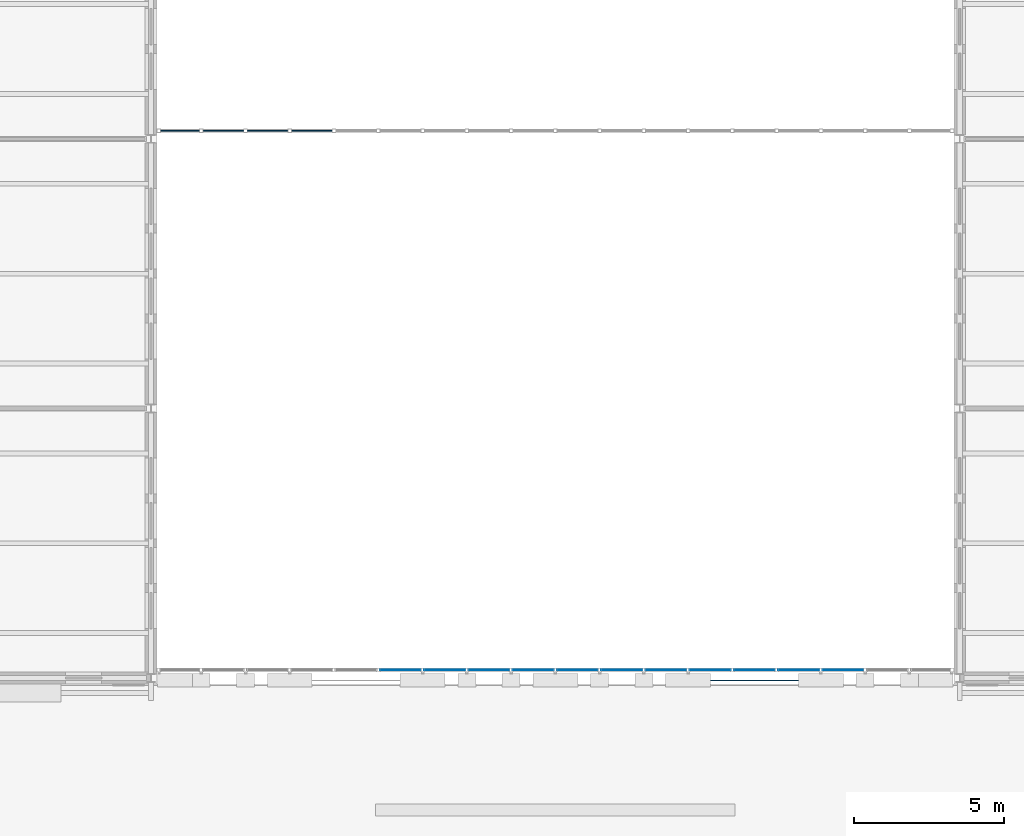
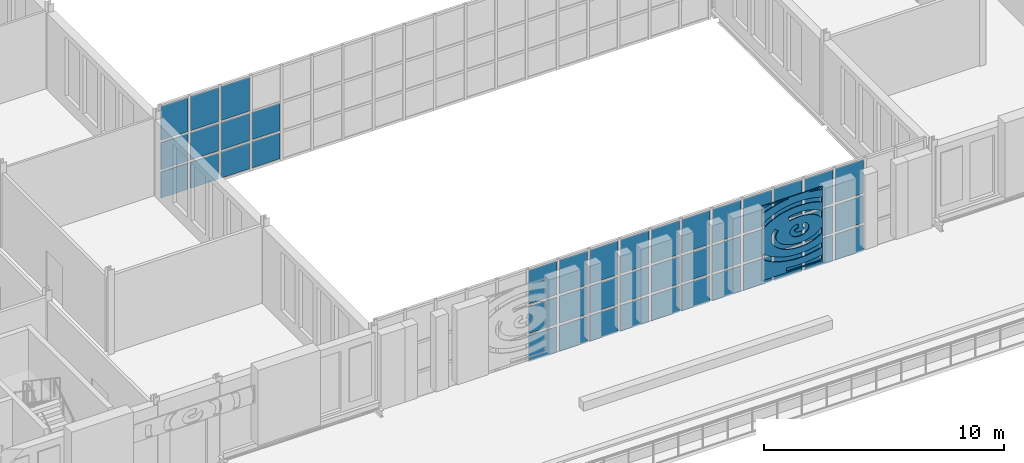
# One storey, part 59 of 134: 45 plates, 2 elements without a shape of their own.
"""IFC4 building model written with IfcOpenShell, lengths in metres."""

from ifc_helpers import new_model, si_unit, direction, frame, origin, origin_2d, place, context, subcontext, project, spatial, polyline, rectangle, outline, extrude, material, layer, layer_set, type_object, element, aggregate, save


model = new_model("IFC4")

# Units and contexts
model_context = context("Model", 3, precision=1e-05, world=origin(), true_north=direction((0.0, 1.0)))
body_context = subcontext(model_context, "Body", "Model", "MODEL_VIEW")
ifc_project = project(units=[si_unit("LENGTHUNIT", "METRE"), si_unit("AREAUNIT", "SQUARE_METRE"), si_unit("VOLUMEUNIT", "CUBIC_METRE"), si_unit("PLANEANGLEUNIT", "RADIAN"), si_unit("MASSUNIT", "GRAM", prefix="KILO")], contexts=[model_context])

# Site, building, storey
site_placement = place(None, origin())
site = spatial("IfcSite", under=ifc_project, at=site_placement, CompositionType="ELEMENT")
building_placement = place(site_placement, origin())
building = spatial("IfcBuilding", under=site, at=building_placement, Name="Golden Quay Civic Hall", CompositionType="ELEMENT")
storey_placement = place(building_placement, frame((0.0, 0.0, 5.39990234375)))
storey = spatial("IfcBuildingStorey", under=building, at=storey_placement, Name="L01", CompositionType="ELEMENT", Elevation=5.39990234375)

# Curtain wall, plates
ifc_material_1 = material(Name="Fire-resisting glass and steel", Category="steel")
curtain_wall_type_1 = type_object("IfcCurtainWallType", Name="Fire-resisting glazed curtain wall EI 120", PredefinedType="NOTDEFINED", material=ifc_material_1)
curtain_wall_1_placement = place(storey_placement, origin())
curtain_wall_1 = element("IfcCurtainWall", 1, at=curtain_wall_1_placement, inside=storey, type_object=curtain_wall_type_1, Name="CW3 curtain wall", PredefinedType="NOTDEFINED")
ifc_material_2 = material(Name="Fire-resisting laminated glass", Category="glass")
ifc_layer_1 = layer(ifc_material_2, 0.0400390625)
ifc_layer_set_1 = layer_set([ifc_layer_1], Name="Fire-resisting glazed panel 40")
plate_type_1 = type_object("IfcPlateType", Name="Fire-resisting glazed panel 40", PredefinedType="CURTAIN_PANEL", material=ifc_layer_set_1)
plate_1_placement = place(storey_placement, frame((72.968994140625, 18.27001953125, -0.47998046875), z_axis=(0.0, 0.0, 1.0), x_axis=(1.0, 0.0, 0.0)))
plate_1 = element("IfcPlate", 2, at=plate_1_placement, type_object=plate_type_1, Name="CW3 panel 1.1", PredefinedType="CURTAIN_PANEL", context=body_context, shape_type="SweptSolid", body=[
    extrude(rectangle(XDim=1.2978515625, YDim=0.0400390625, at=origin_2d()), origin(), (0.0, 0.0, 1.0), 1.320068359375),
])
plate_2_placement = place(storey_placement, frame((72.968994140625, 18.27001953125, 0.960205078125), z_axis=(0.0, 0.0, 1.0), x_axis=(1.0, 0.0, 0.0)))
plate_2 = element("IfcPlate", 3, at=plate_2_placement, type_object=plate_type_1, Name="CW3 panel 1.2", PredefinedType="CURTAIN_PANEL", context=body_context, shape_type="SweptSolid", body=[
    extrude(rectangle(XDim=1.2978515625, YDim=0.0400390625, at=origin_2d()), origin(), (0.0, 0.0, 1.0), 1.3798828125),
])
plate_3_placement = place(storey_placement, frame((72.968994140625, 18.27001953125, 2.4599609375), z_axis=(0.0, 0.0, 1.0), x_axis=(1.0, 0.0, 0.0)))
plate_3 = element("IfcPlate", 4, at=plate_3_placement, type_object=plate_type_1, Name="CW3 panel 1.3", PredefinedType="CURTAIN_PANEL", context=body_context, shape_type="SweptSolid", body=[
    extrude(rectangle(XDim=1.2978515625, YDim=0.0400390625, at=origin_2d()), origin(), (0.0, 0.0, 1.0), 1.719970703125),
])
plate_4_placement = place(storey_placement, frame((74.416748046875, 18.27001953125, -0.47998046875), z_axis=(0.0, 0.0, 1.0), x_axis=(1.0, 0.0, 0.0)))
plate_4 = element("IfcPlate", 5, at=plate_4_placement, type_object=plate_type_1, Name="CW3 panel 2.1", PredefinedType="CURTAIN_PANEL", context=body_context, shape_type="SweptSolid", body=[
    extrude(rectangle(XDim=1.357666015625, YDim=0.0400390625, at=origin_2d()), origin(), (0.0, 0.0, 1.0), 1.320068359375),
])
plate_5_placement = place(storey_placement, frame((74.416748046875, 18.27001953125, 0.960205078125), z_axis=(0.0, 0.0, 1.0), x_axis=(1.0, 0.0, 0.0)))
plate_5 = element("IfcPlate", 6, at=plate_5_placement, type_object=plate_type_1, Name="CW3 panel 2.2", PredefinedType="CURTAIN_PANEL", context=body_context, shape_type="SweptSolid", body=[
    extrude(rectangle(XDim=1.357666015625, YDim=0.0400390625, at=origin_2d()), origin(), (0.0, 0.0, 1.0), 1.3798828125),
])
plate_6_placement = place(storey_placement, frame((74.416748046875, 18.27001953125, 2.4599609375), z_axis=(0.0, 0.0, 1.0), x_axis=(1.0, 0.0, 0.0)))
plate_6 = element("IfcPlate", 7, at=plate_6_placement, type_object=plate_type_1, Name="CW3 panel 2.3", PredefinedType="CURTAIN_PANEL", context=body_context, shape_type="SweptSolid", body=[
    extrude(rectangle(XDim=1.357666015625, YDim=0.0400390625, at=origin_2d()), origin(), (0.0, 0.0, 1.0), 1.719970703125),
])
plate_7_placement = place(storey_placement, frame((75.89453125, 18.27001953125, -0.47998046875), z_axis=(0.0, 0.0, 1.0), x_axis=(1.0, 0.0, 0.0)))
plate_7 = element("IfcPlate", 8, at=plate_7_placement, type_object=plate_type_1, Name="CW3 panel 3.1", PredefinedType="CURTAIN_PANEL", context=body_context, shape_type="SweptSolid", body=[
    extrude(rectangle(XDim=1.357666015625, YDim=0.0400390625, at=origin_2d()), origin(), (0.0, 0.0, 1.0), 1.320068359375),
])
plate_8_placement = place(storey_placement, frame((75.89453125, 18.27001953125, 0.960205078125), z_axis=(0.0, 0.0, 1.0), x_axis=(1.0, 0.0, 0.0)))
plate_8 = element("IfcPlate", 9, at=plate_8_placement, type_object=plate_type_1, Name="CW3 panel 3.2", PredefinedType="CURTAIN_PANEL", context=body_context, shape_type="SweptSolid", body=[
    extrude(rectangle(XDim=1.357666015625, YDim=0.0400390625, at=origin_2d()), origin(), (0.0, 0.0, 1.0), 1.3798828125),
])
plate_9_placement = place(storey_placement, frame((75.89453125, 18.27001953125, 2.4599609375), z_axis=(0.0, 0.0, 1.0), x_axis=(1.0, 0.0, 0.0)))
plate_9 = element("IfcPlate", 10, at=plate_9_placement, type_object=plate_type_1, Name="CW3 panel 3.3", PredefinedType="CURTAIN_PANEL", context=body_context, shape_type="SweptSolid", body=[
    extrude(rectangle(XDim=1.357666015625, YDim=0.0400390625, at=origin_2d()), origin(), (0.0, 0.0, 1.0), 1.719970703125),
])
plate_10_placement = place(storey_placement, frame((77.372314453125, 18.27001953125, -0.47998046875), z_axis=(0.0, 0.0, 1.0), x_axis=(1.0, 0.0, 0.0)))
plate_10 = element("IfcPlate", 11, at=plate_10_placement, type_object=plate_type_1, Name="CW3 panel 4.1", PredefinedType="CURTAIN_PANEL", context=body_context, shape_type="SweptSolid", body=[
    extrude(rectangle(XDim=1.357666015625, YDim=0.0400390625, at=origin_2d()), origin(), (0.0, 0.0, 1.0), 1.320068359375),
])
plate_11_placement = place(storey_placement, frame((77.372314453125, 18.27001953125, 0.960205078125), z_axis=(0.0, 0.0, 1.0), x_axis=(1.0, 0.0, 0.0)))
plate_11 = element("IfcPlate", 12, at=plate_11_placement, type_object=plate_type_1, Name="CW3 panel 4.2", PredefinedType="CURTAIN_PANEL", context=body_context, shape_type="SweptSolid", body=[
    extrude(rectangle(XDim=1.357666015625, YDim=0.0400390625, at=origin_2d()), origin(), (0.0, 0.0, 1.0), 1.3798828125),
])
aggregate(curtain_wall_1, [plate_1, plate_2, plate_3, plate_4, plate_5, plate_6, plate_7, plate_8, plate_9, plate_10, plate_11])

ifc_material_3 = material(Name="Glass and aluminium", Category="aluminium")
curtain_wall_type_2 = type_object("IfcCurtainWallType", Name="Glazed curtain wall 1500 module", PredefinedType="NOTDEFINED", material=ifc_material_3)
curtain_wall_2_placement = place(storey_placement, origin())
curtain_wall_2 = element("IfcCurtainWall", 13, at=curtain_wall_2_placement, inside=storey, type_object=curtain_wall_type_2, Name="CW1 curtain wall", PredefinedType="NOTDEFINED")
ifc_material_4 = material(Name="Laminated glass", Category="glass")
ifc_layer_2 = layer(ifc_material_4, 0.028076171875)
ifc_layer_set_2 = layer_set([ifc_layer_2], Name="Laminated glass panel 28")
plate_type_2 = type_object("IfcPlateType", Name="Laminated glass panel 28", PredefinedType="CURTAIN_PANEL", material=ifc_layer_set_2)
plate_12_placement = place(storey_placement, frame((80.327880859375, 0.27001953125, -0.47998046875), z_axis=(0.0, 0.0, 1.0), x_axis=(1.0, 0.0, 0.0)))
plate_12 = element("IfcPlate", 14, at=plate_12_placement, type_object=plate_type_2, Name="CW1 panel 6.1", PredefinedType="CURTAIN_PANEL", context=body_context, shape_type="SweptSolid", body=[
    extrude(rectangle(XDim=1.357666015625, YDim=0.028076171875, at=origin_2d()), origin(), (0.0, 0.0, 1.0), 1.320068359375),
])
plate_13_placement = place(storey_placement, frame((80.327880859375, 0.27001953125, 0.960205078125), z_axis=(0.0, 0.0, 1.0), x_axis=(1.0, 0.0, 0.0)))
plate_13 = element("IfcPlate", 15, at=plate_13_placement, type_object=plate_type_2, Name="CW1 panel 6.2", PredefinedType="CURTAIN_PANEL", context=body_context, shape_type="SweptSolid", body=[
    extrude(rectangle(XDim=1.357666015625, YDim=0.028076171875, at=origin_2d()), origin(), (0.0, 0.0, 1.0), 1.3798828125),
])
plate_14_placement = place(storey_placement, frame((80.327880859375, 0.27001953125, 2.4599609375), z_axis=(0.0, 0.0, 1.0), x_axis=(1.0, 0.0, 0.0)))
plate_14 = element("IfcPlate", 16, at=plate_14_placement, type_object=plate_type_2, Name="CW1 panel 6.3", PredefinedType="CURTAIN_PANEL", context=body_context, shape_type="SweptSolid", body=[
    extrude(rectangle(XDim=1.357666015625, YDim=0.028076171875, at=origin_2d()), origin(), (0.0, 0.0, 1.0), 1.719970703125),
])
plate_15_placement = place(storey_placement, frame((81.8056640625, 0.27001953125, -0.47998046875), z_axis=(0.0, 0.0, 1.0), x_axis=(1.0, 0.0, 0.0)))
plate_15 = element("IfcPlate", 17, at=plate_15_placement, type_object=plate_type_2, Name="CW1 panel 7.1", PredefinedType="CURTAIN_PANEL", context=body_context, shape_type="SweptSolid", body=[
    extrude(rectangle(XDim=1.357666015625, YDim=0.028076171875, at=origin_2d()), origin(), (0.0, 0.0, 1.0), 1.320068359375),
])
plate_16_placement = place(storey_placement, frame((81.8056640625, 0.27001953125, 0.960205078125), z_axis=(0.0, 0.0, 1.0), x_axis=(1.0, 0.0, 0.0)))
plate_16 = element("IfcPlate", 18, at=plate_16_placement, type_object=plate_type_2, Name="CW1 panel 7.2", PredefinedType="CURTAIN_PANEL", context=body_context, shape_type="SweptSolid", body=[
    extrude(rectangle(XDim=1.357666015625, YDim=0.028076171875, at=origin_2d()), origin(), (0.0, 0.0, 1.0), 1.3798828125),
])
plate_17_placement = place(storey_placement, frame((81.8056640625, 0.27001953125, 2.4599609375), z_axis=(0.0, 0.0, 1.0), x_axis=(1.0, 0.0, 0.0)))
plate_17 = element("IfcPlate", 19, at=plate_17_placement, type_object=plate_type_2, Name="CW1 panel 7.3", PredefinedType="CURTAIN_PANEL", context=body_context, shape_type="SweptSolid", body=[
    extrude(rectangle(XDim=1.357666015625, YDim=0.028076171875, at=origin_2d()), origin(), (0.0, 0.0, 1.0), 1.719970703125),
])
plate_18_placement = place(storey_placement, frame((83.283447265625, 0.27001953125, -0.47998046875), z_axis=(0.0, 0.0, 1.0), x_axis=(1.0, 0.0, 0.0)))
plate_18 = element("IfcPlate", 20, at=plate_18_placement, type_object=plate_type_2, Name="CW1 panel 8.1", PredefinedType="CURTAIN_PANEL", context=body_context, shape_type="SweptSolid", body=[
    extrude(rectangle(XDim=1.357666015625, YDim=0.028076171875, at=origin_2d()), origin(), (0.0, 0.0, 1.0), 1.320068359375),
])
plate_19_placement = place(storey_placement, frame((83.283447265625, 0.27001953125, 0.960205078125), z_axis=(0.0, 0.0, 1.0), x_axis=(1.0, 0.0, 0.0)))
plate_19 = element("IfcPlate", 21, at=plate_19_placement, type_object=plate_type_2, Name="CW1 panel 8.2", PredefinedType="CURTAIN_PANEL", context=body_context, shape_type="SweptSolid", body=[
    extrude(rectangle(XDim=1.357666015625, YDim=0.028076171875, at=origin_2d()), origin(), (0.0, 0.0, 1.0), 1.3798828125),
])
plate_20_placement = place(storey_placement, frame((83.283447265625, 0.27001953125, 2.4599609375), z_axis=(0.0, 0.0, 1.0), x_axis=(1.0, 0.0, 0.0)))
plate_20 = element("IfcPlate", 22, at=plate_20_placement, type_object=plate_type_2, Name="CW1 panel 8.3", PredefinedType="CURTAIN_PANEL", context=body_context, shape_type="SweptSolid", body=[
    extrude(rectangle(XDim=1.357666015625, YDim=0.028076171875, at=origin_2d()), origin(), (0.0, 0.0, 1.0), 1.719970703125),
])
plate_21_placement = place(storey_placement, frame((84.76123046875, 0.27001953125, -0.47998046875), z_axis=(0.0, 0.0, 1.0), x_axis=(1.0, 0.0, 0.0)))
plate_21 = element("IfcPlate", 23, at=plate_21_placement, type_object=plate_type_2, Name="CW1 panel 9.1", PredefinedType="CURTAIN_PANEL", context=body_context, shape_type="SweptSolid", body=[
    extrude(rectangle(XDim=1.357666015625, YDim=0.028076171875, at=origin_2d()), origin(), (0.0, 0.0, 1.0), 1.320068359375),
])
plate_22_placement = place(storey_placement, frame((84.76123046875, 0.27001953125, 0.960205078125), z_axis=(0.0, 0.0, 1.0), x_axis=(1.0, 0.0, 0.0)))
plate_22 = element("IfcPlate", 24, at=plate_22_placement, type_object=plate_type_2, Name="CW1 panel 9.2", PredefinedType="CURTAIN_PANEL", context=body_context, shape_type="SweptSolid", body=[
    extrude(rectangle(XDim=1.357666015625, YDim=0.028076171875, at=origin_2d()), origin(), (0.0, 0.0, 1.0), 1.3798828125),
])
plate_23_placement = place(storey_placement, frame((84.76123046875, 0.27001953125, 2.4599609375), z_axis=(0.0, 0.0, 1.0), x_axis=(1.0, 0.0, 0.0)))
plate_23 = element("IfcPlate", 25, at=plate_23_placement, type_object=plate_type_2, Name="CW1 panel 9.3", PredefinedType="CURTAIN_PANEL", context=body_context, shape_type="SweptSolid", body=[
    extrude(rectangle(XDim=1.357666015625, YDim=0.028076171875, at=origin_2d()), origin(), (0.0, 0.0, 1.0), 1.719970703125),
])
plate_24_placement = place(storey_placement, frame((86.23876953125, 0.27001953125, -0.47998046875), z_axis=(0.0, 0.0, 1.0), x_axis=(1.0, 0.0, 0.0)))
plate_24 = element("IfcPlate", 26, at=plate_24_placement, type_object=plate_type_2, Name="CW1 panel 10.1", PredefinedType="CURTAIN_PANEL", context=body_context, shape_type="SweptSolid", body=[
    extrude(rectangle(XDim=1.357666015625, YDim=0.028076171875, at=origin_2d()), origin(), (0.0, 0.0, 1.0), 1.320068359375),
])
plate_25_placement = place(storey_placement, frame((86.23876953125, 0.27001953125, 0.960205078125), z_axis=(0.0, 0.0, 1.0), x_axis=(1.0, 0.0, 0.0)))
plate_25 = element("IfcPlate", 27, at=plate_25_placement, type_object=plate_type_2, Name="CW1 panel 10.2", PredefinedType="CURTAIN_PANEL", context=body_context, shape_type="SweptSolid", body=[
    extrude(rectangle(XDim=1.357666015625, YDim=0.028076171875, at=origin_2d()), origin(), (0.0, 0.0, 1.0), 1.3798828125),
])
plate_26_placement = place(storey_placement, frame((86.23876953125, 0.27001953125, 2.4599609375), z_axis=(0.0, 0.0, 1.0), x_axis=(1.0, 0.0, 0.0)))
plate_26 = element("IfcPlate", 28, at=plate_26_placement, type_object=plate_type_2, Name="CW1 panel 10.3", PredefinedType="CURTAIN_PANEL", context=body_context, shape_type="SweptSolid", body=[
    extrude(rectangle(XDim=1.357666015625, YDim=0.028076171875, at=origin_2d()), origin(), (0.0, 0.0, 1.0), 1.719970703125),
])
plate_27_placement = place(storey_placement, frame((87.716552734375, 0.27001953125, -0.47998046875), z_axis=(0.0, 0.0, 1.0), x_axis=(1.0, 0.0, 0.0)))
plate_27 = element("IfcPlate", 29, at=plate_27_placement, type_object=plate_type_2, Name="CW1 panel 11.1", PredefinedType="CURTAIN_PANEL", context=body_context, shape_type="SweptSolid", body=[
    extrude(rectangle(XDim=1.357666015625, YDim=0.028076171875, at=origin_2d()), origin(), (0.0, 0.0, 1.0), 1.320068359375),
])
plate_28_placement = place(storey_placement, frame((87.716552734375, 0.27001953125, 0.960205078125), z_axis=(0.0, 0.0, 1.0), x_axis=(1.0, 0.0, 0.0)))
plate_28 = element("IfcPlate", 30, at=plate_28_placement, type_object=plate_type_2, Name="CW1 panel 11.2", PredefinedType="CURTAIN_PANEL", context=body_context, shape_type="SweptSolid", body=[
    extrude(rectangle(XDim=1.357666015625, YDim=0.028076171875, at=origin_2d()), origin(), (0.0, 0.0, 1.0), 1.3798828125),
])
plate_29_placement = place(storey_placement, frame((87.716552734375, 0.27001953125, 2.4599609375), z_axis=(0.0, 0.0, 1.0), x_axis=(1.0, 0.0, 0.0)))
plate_29 = element("IfcPlate", 31, at=plate_29_placement, type_object=plate_type_2, Name="CW1 panel 11.3", PredefinedType="CURTAIN_PANEL", context=body_context, shape_type="SweptSolid", body=[
    extrude(rectangle(XDim=1.357666015625, YDim=0.028076171875, at=origin_2d()), origin(), (0.0, 0.0, 1.0), 1.719970703125),
])
plate_30_placement = place(storey_placement, frame((89.1943359375, 0.27001953125, -0.47998046875), z_axis=(0.0, 0.0, 1.0), x_axis=(1.0, 0.0, 0.0)))
plate_30 = element("IfcPlate", 32, at=plate_30_placement, type_object=plate_type_2, Name="CW1 panel 12.1", PredefinedType="CURTAIN_PANEL", context=body_context, shape_type="SweptSolid", body=[
    extrude(rectangle(XDim=1.357666015625, YDim=0.028076171875, at=origin_2d()), origin(), (0.0, 0.0, 1.0), 1.320068359375),
])
plate_31_placement = place(storey_placement, frame((89.1943359375, 0.27001953125, 0.960205078125), z_axis=(0.0, 0.0, 1.0), x_axis=(1.0, 0.0, 0.0)))
plate_31 = element("IfcPlate", 33, at=plate_31_placement, type_object=plate_type_2, Name="CW1 panel 12.2", PredefinedType="CURTAIN_PANEL", context=body_context, shape_type="SweptSolid", body=[
    extrude(rectangle(XDim=1.357666015625, YDim=0.028076171875, at=origin_2d()), origin(), (0.0, 0.0, 1.0), 1.3798828125),
])
plate_32_placement = place(storey_placement, frame((89.1943359375, 0.27001953125, 2.4599609375), z_axis=(0.0, 0.0, 1.0), x_axis=(1.0, 0.0, 0.0)))
plate_32 = element("IfcPlate", 34, at=plate_32_placement, type_object=plate_type_2, Name="CW1 panel 12.3", PredefinedType="CURTAIN_PANEL", context=body_context, shape_type="SweptSolid", body=[
    extrude(rectangle(XDim=1.357666015625, YDim=0.028076171875, at=origin_2d()), origin(), (0.0, 0.0, 1.0), 1.719970703125),
])
plate_33_placement = place(storey_placement, frame((90.672119140625, 0.27001953125, -0.47998046875), z_axis=(0.0, 0.0, 1.0), x_axis=(1.0, 0.0, 0.0)))
plate_33 = element("IfcPlate", 35, at=plate_33_placement, type_object=plate_type_2, Name="CW1 panel 13.1", PredefinedType="CURTAIN_PANEL", context=body_context, shape_type="SweptSolid", body=[
    extrude(rectangle(XDim=1.357666015625, YDim=0.028076171875, at=origin_2d()), origin(), (0.0, 0.0, 1.0), 1.320068359375),
])
plate_34_placement = place(storey_placement, frame((90.672119140625, 0.27001953125, 0.960205078125), z_axis=(0.0, 0.0, 1.0), x_axis=(1.0, 0.0, 0.0)))
plate_34 = element("IfcPlate", 36, at=plate_34_placement, type_object=plate_type_2, Name="CW1 panel 13.2", PredefinedType="CURTAIN_PANEL", context=body_context, shape_type="SweptSolid", body=[
    extrude(rectangle(XDim=1.357666015625, YDim=0.028076171875, at=origin_2d()), origin(), (0.0, 0.0, 1.0), 1.3798828125),
])
plate_35_placement = place(storey_placement, frame((90.672119140625, 0.27001953125, 2.4599609375), z_axis=(0.0, 0.0, 1.0), x_axis=(1.0, 0.0, 0.0)))
plate_35 = element("IfcPlate", 37, at=plate_35_placement, type_object=plate_type_2, Name="CW1 panel 13.3", PredefinedType="CURTAIN_PANEL", context=body_context, shape_type="SweptSolid", body=[
    extrude(rectangle(XDim=1.357666015625, YDim=0.028076171875, at=origin_2d()), origin(), (0.0, 0.0, 1.0), 1.719970703125),
])
plate_36_placement = place(storey_placement, frame((92.14990234375, 0.27001953125, -0.47998046875), z_axis=(0.0, 0.0, 1.0), x_axis=(1.0, 0.0, 0.0)))
plate_36 = element("IfcPlate", 38, at=plate_36_placement, type_object=plate_type_2, Name="CW1 panel 14.1", PredefinedType="CURTAIN_PANEL", context=body_context, shape_type="SweptSolid", body=[
    extrude(rectangle(XDim=1.357666015625, YDim=0.028076171875, at=origin_2d()), origin(), (0.0, 0.0, 1.0), 1.320068359375),
])
plate_37_placement = place(storey_placement, frame((92.14990234375, 0.27001953125, 0.960205078125), z_axis=(0.0, 0.0, 1.0), x_axis=(1.0, 0.0, 0.0)))
plate_37 = element("IfcPlate", 39, at=plate_37_placement, type_object=plate_type_2, Name="CW1 panel 14.2", PredefinedType="CURTAIN_PANEL", context=body_context, shape_type="SweptSolid", body=[
    extrude(rectangle(XDim=1.357666015625, YDim=0.028076171875, at=origin_2d()), origin(), (0.0, 0.0, 1.0), 1.3798828125),
])
plate_38_placement = place(storey_placement, frame((92.14990234375, 0.27001953125, 2.4599609375), z_axis=(0.0, 0.0, 1.0), x_axis=(1.0, 0.0, 0.0)))
plate_38 = element("IfcPlate", 40, at=plate_38_placement, type_object=plate_type_2, Name="CW1 panel 14.3", PredefinedType="CURTAIN_PANEL", context=body_context, shape_type="SweptSolid", body=[
    extrude(rectangle(XDim=1.357666015625, YDim=0.028076171875, at=origin_2d()), origin(), (0.0, 0.0, 1.0), 1.719970703125),
])
plate_39_placement = place(storey_placement, frame((93.627685546875, 0.27001953125, -0.47998046875), z_axis=(0.0, 0.0, 1.0), x_axis=(1.0, 0.0, 0.0)))
plate_39 = element("IfcPlate", 41, at=plate_39_placement, type_object=plate_type_2, Name="CW1 panel 15.1", PredefinedType="CURTAIN_PANEL", context=body_context, shape_type="SweptSolid", body=[
    extrude(rectangle(XDim=1.357666015625, YDim=0.028076171875, at=origin_2d()), origin(), (0.0, 0.0, 1.0), 1.320068359375),
])
plate_40_placement = place(storey_placement, frame((93.627685546875, 0.27001953125, 0.960205078125), z_axis=(0.0, 0.0, 1.0), x_axis=(1.0, 0.0, 0.0)))
plate_40 = element("IfcPlate", 42, at=plate_40_placement, type_object=plate_type_2, Name="CW1 panel 15.2", PredefinedType="CURTAIN_PANEL", context=body_context, shape_type="SweptSolid", body=[
    extrude(rectangle(XDim=1.357666015625, YDim=0.028076171875, at=origin_2d()), origin(), (0.0, 0.0, 1.0), 1.3798828125),
])
plate_41_placement = place(storey_placement, frame((93.627685546875, 0.27001953125, 2.4599609375), z_axis=(0.0, 0.0, 1.0), x_axis=(1.0, 0.0, 0.0)))
plate_41 = element("IfcPlate", 43, at=plate_41_placement, type_object=plate_type_2, Name="CW1 panel 15.3", PredefinedType="CURTAIN_PANEL", context=body_context, shape_type="SweptSolid", body=[
    extrude(rectangle(XDim=1.357666015625, YDim=0.028076171875, at=origin_2d()), origin(), (0.0, 0.0, 1.0), 1.719970703125),
])
plate_42_placement = place(storey_placement, frame((95.10546875, 0.27001953125, -0.47998046875), z_axis=(0.0, 0.0, 1.0), x_axis=(1.0, 0.0, 0.0)))
plate_42 = element("IfcPlate", 44, at=plate_42_placement, type_object=plate_type_2, Name="CW1 panel 16.1", PredefinedType="CURTAIN_PANEL", context=body_context, shape_type="SweptSolid", body=[
    extrude(rectangle(XDim=1.357666015625, YDim=0.028076171875, at=origin_2d()), origin(), (0.0, 0.0, 1.0), 1.320068359375),
])
plate_43_placement = place(storey_placement, frame((95.10546875, 0.27001953125, 0.960205078125), z_axis=(0.0, 0.0, 1.0), x_axis=(1.0, 0.0, 0.0)))
plate_43 = element("IfcPlate", 45, at=plate_43_placement, type_object=plate_type_2, Name="CW1 panel 16.2", PredefinedType="CURTAIN_PANEL", context=body_context, shape_type="SweptSolid", body=[
    extrude(rectangle(XDim=1.357666015625, YDim=0.028076171875, at=origin_2d()), origin(), (0.0, 0.0, 1.0), 1.3798828125),
])
plate_44_placement = place(storey_placement, frame((95.10546875, 0.27001953125, 2.4599609375), z_axis=(0.0, 0.0, 1.0), x_axis=(1.0, 0.0, 0.0)))
plate_44 = element("IfcPlate", 46, at=plate_44_placement, type_object=plate_type_2, Name="CW1 panel 16.3", PredefinedType="CURTAIN_PANEL", context=body_context, shape_type="SweptSolid", body=[
    extrude(rectangle(XDim=1.357666015625, YDim=0.028076171875, at=origin_2d()), origin(), (0.0, 0.0, 1.0), 1.719970703125),
])
aggregate(curtain_wall_2, [plate_12, plate_13, plate_14, plate_15, plate_16, plate_17, plate_18, plate_19, plate_20, plate_21, plate_22, plate_23, plate_24, plate_25, plate_26, plate_27, plate_28, plate_29, plate_30, plate_31, plate_32, plate_33, plate_34, plate_35, plate_36, plate_37, plate_38, plate_39, plate_40, plate_41, plate_42, plate_43, plate_44])

# Plate
ifc_material_5 = material(Name="Aluminium, golden anodised, perforated", Category="aluminium")
ifc_layer_3 = layer(ifc_material_5, 0.0400390625)
ifc_layer_set_3 = layer_set([ifc_layer_3], Name="Perforated panel 2934 x 3800 x 40")
plate_type_3 = type_object("IfcPlateType", Name="Perforated panel 2934 x 3800 x 40", PredefinedType="SHEET", material=ifc_layer_set_3)
plate_45_placement = place(storey_placement, frame((92.14990234375, -0.06005859375, 1.900146484375), z_axis=(0.0, -1.0, 0.0), x_axis=(1.0, 0.0, 0.0)))
element("IfcPlate", 47, at=plate_45_placement, inside=storey, type_object=plate_type_3, Name="Hall screen panel south L01 5", PredefinedType="SHEET", context=body_context, shape_type="SweptSolid", body=[
    extrude(outline(polyline([(-1.467041015625, -1.89990234375), (1.467041015625, -1.89990234375), (1.467041015625, 1.89990234375), (-1.467041015625, 1.89990234375), (-1.467041015625, -1.89990234375)]), holes=[polyline([(0.256591796875, 0.172607421875), (0.2119140625, 0.15966796875), (0.174072265625, 0.142822265625), (0.1455078125, 0.124267578125), (0.127197265625, 0.1064453125), (0.11572265625, 0.08740234375), (0.115478515625, 0.073486328125), (0.125732421875, 0.054931640625), (0.143310546875, 0.03759765625), (0.1884765625, 0.010009765625), (0.229248046875, -0.005615234375), (0.3017578125, -0.02001953125), (0.353515625, -0.022705078125), (0.4052734375, -0.019287109375), (0.4541015625, -0.010009765625), (0.49755859375, 0.00390625), (0.547607421875, 0.03076171875), (0.56884765625, 0.049072265625), (0.580322265625, 0.064208984375), (0.585205078125, 0.077880859375), (0.581298828125, 0.093994140625), (0.562255859375, 0.117431640625), (0.537353515625, 0.135986328125), (0.47900390625, 0.1630859375), (0.560546875, 0.37646484375), (0.6298828125, 0.34619140625), (0.684326171875, 0.3125), (0.738037109375, 0.264892578125), (0.7685546875, 0.225830078125), (0.7958984375, 0.174072265625), (0.810302734375, 0.12255859375), (0.813720703125, 0.064697265625), (0.804443359375, 0.011474609375), (0.7919921875, -0.02294921875), (0.775390625, -0.05517578125), (0.7548828125, -0.084716796875), (0.7314453125, -0.11181640625), (0.705078125, -0.13623046875), (0.65380859375, -0.1728515625), (0.5791015625, -0.209716796875), (0.54345703125, -0.22216796875), (0.475830078125, -0.2392578125), (0.391357421875, -0.25), (0.3193359375, -0.25048828125), (0.2734375, -0.246826171875), (0.20361328125, -0.23486328125), (0.16650390625, -0.22509765625), (0.095947265625, -0.198974609375), (0.03173828125, -0.16357421875), (-0.0244140625, -0.11865234375), (-0.056884765625, -0.082275390625), (-0.087890625, -0.031982421875), (-0.106201171875, 0.017578125), (-0.114013671875, 0.074951171875), (-0.109130859375, 0.129150390625), (-0.091552734375, 0.184326171875), (-0.06640625, 0.22900390625), (-0.028076171875, 0.275146484375), (0.029052734375, 0.322021484375), (0.06884765625, 0.345703125), (0.13720703125, 0.37548828125), (0.20361328125, 0.39501953125), (0.28076171875, 0.40771484375), (0.309814453125, 0.180908203125), (0.256591796875, 0.172607421875)]), polyline([(-0.72998046875, 0.27978515625), (-0.752685546875, 0.234619140625), (-0.76904296875, 0.189453125), (-0.77978515625, 0.144287109375), (-0.784912109375, 0.099609375), (-0.78466796875, 0.0546875), (-0.77880859375, 0.009765625), (-0.767333984375, -0.035400390625), (-0.75, -0.08056640625), (-0.726806640625, -0.125732421875), (-0.697509765625, -0.1708984375), (-0.661865234375, -0.215087890625), (-0.6201171875, -0.2587890625), (-0.572509765625, -0.30078125), (-0.51904296875, -0.341064453125), (-0.4599609375, -0.379150390625), (-0.395751953125, -0.414794921875), (-0.32666015625, -0.44775390625), (-0.25341796875, -0.477294921875), (-0.17626953125, -0.503662109375), (-0.095703125, -0.5263671875), (-0.01220703125, -0.54541015625), (0.07373046875, -0.560302734375), (0.1611328125, -0.5712890625), (0.25, -0.578125), (0.33935546875, -0.580810546875), (0.428955078125, -0.5791015625), (0.517822265625, -0.5732421875), (0.605712890625, -0.563232421875), (0.69189453125, -0.54931640625), (0.776123046875, -0.53125), (0.857421875, -0.509521484375), (0.935546875, -0.48388671875), (1.009765625, -0.455078125), (1.079833984375, -0.4228515625), (1.145263671875, -0.387939453125), (1.20556640625, -0.350341796875), (1.26025390625, -0.310302734375), (1.309326171875, -0.268798828125), (1.3525390625, -0.2255859375), (1.406982421875, -0.156005859375), (1.406982421875, -0.485595703125), (1.336669921875, -0.53759765625), (1.262939453125, -0.583740234375), (1.1845703125, -0.6259765625), (1.095703125, -0.666748046875), (1.009521484375, -0.7001953125), (0.919677734375, -0.729248046875), (0.83251953125, -0.752685546875), (0.731689453125, -0.7744140625), (0.63427734375, -0.7900390625), (0.535400390625, -0.801025390625), (0.435791015625, -0.8076171875), (0.3408203125, -0.80908203125), (0.24072265625, -0.806396484375), (0.135498046875, -0.79833984375), (0.04248046875, -0.78662109375), (-0.05419921875, -0.77001953125), (-0.14892578125, -0.74853515625), (-0.2412109375, -0.722900390625), (-0.330078125, -0.692626953125), (-0.421875, -0.655517578125), (-0.4970703125, -0.61962890625), (-0.57421875, -0.5771484375), (-0.6533203125, -0.52587890625), (-0.72021484375, -0.47509765625), (-0.77490234375, -0.4267578125), (-0.830322265625, -0.36962890625), (-0.879150390625, -0.309326171875), (-0.92724609375, -0.235595703125), (-0.961181640625, -0.168212890625), (-0.983154296875, -0.11083984375), (-1.001953125, -0.0400390625), (-1.01220703125, 0.031982421875), (-1.013671875, 0.104736328125), (-1.006103515625, 0.17724609375), (-0.98974609375, 0.2490234375), (-0.9599609375, 0.330810546875), (-0.92626953125, 0.397216796875), (-0.885009765625, 0.461181640625), (-0.84375, 0.51416015625), (-0.66357421875, 0.37353515625), (-0.701416015625, 0.324951171875), (-0.72998046875, 0.27978515625)]), polyline([(1.37548828125, 0.35888671875), (1.336181640625, 0.40283203125), (1.29052734375, 0.445556640625), (1.2392578125, 0.486572265625), (1.18212890625, 0.525390625), (1.119873046875, 0.56201171875), (1.052490234375, 0.595947265625), (0.980712890625, 0.626953125), (0.90478515625, 0.654541015625), (0.825439453125, 0.678466796875), (0.742919921875, 0.698974609375), (0.657958984375, 0.71533203125), (0.571044921875, 0.727783203125), (0.482666015625, 0.736083984375), (0.393310546875, 0.740234375), (0.3037109375, 0.740234375), (0.214599609375, 0.73583984375), (0.126220703125, 0.727294921875), (0.039306640625, 0.71484375), (-0.045654296875, 0.6982421875), (-0.130859375, 0.677001953125), (-0.18603515625, 0.89892578125), (-0.09228515625, 0.922119140625), (-0.001708984375, 0.939697265625), (0.101806640625, 0.95458984375), (0.200927734375, 0.964111328125), (0.295654296875, 0.968505859375), (0.4013671875, 0.968505859375), (0.495849609375, 0.964111328125), (0.59521484375, 0.955078125), (0.69873046875, 0.940185546875), (0.789306640625, 0.922607421875), (0.883056640625, 0.899658203125), (0.97998046875, 0.870361328125), (1.06201171875, 0.840576171875), (1.14599609375, 0.8046875), (1.225830078125, 0.764404296875), (1.307861328125, 0.71630859375), (1.406982421875, 0.64501953125), (1.406982421875, 0.31689453125), (1.37548828125, 0.35888671875)]), polyline([(-1.406982421875, -0.52978515625), (-1.315673828125, -0.6162109375), (-1.2373046875, -0.678955078125), (-1.152099609375, -0.73876953125), (-1.060302734375, -0.79541015625), (-0.96240234375, -0.848388671875), (-0.85888671875, -0.897705078125), (-0.75, -0.943115234375), (-0.636474609375, -0.984130859375), (-0.518798828125, -1.020751953125), (-0.397216796875, -1.052490234375), (-0.272216796875, -1.07958984375), (-0.144775390625, -1.101806640625), (-0.014892578125, -1.11865234375), (0.1162109375, -1.130615234375), (0.24853515625, -1.13720703125), (0.38134765625, -1.138671875), (0.513916015625, -1.134765625), (0.645751953125, -1.12548828125), (0.7763671875, -1.111328125), (0.9052734375, -1.091796875), (1.031494140625, -1.0673828125), (1.15478515625, -1.0380859375), (1.27490234375, -1.00390625), (1.406982421875, -0.958984375), (1.406982421875, -1.20068359375), (1.33984375, -1.22314453125), (1.210205078125, -1.259765625), (1.077392578125, -1.291259765625), (0.9462890625, -1.316650390625), (0.8037109375, -1.338134765625), (0.663818359375, -1.353515625), (0.52294921875, -1.363037109375), (0.381103515625, -1.3671875), (0.243896484375, -1.36572265625), (0.1025390625, -1.358642578125), (-0.037841796875, -1.34619140625), (-0.181396484375, -1.3271484375), (-0.313720703125, -1.304443359375), (-0.447998046875, -1.275390625), (-0.5791015625, -1.2412109375), (-0.711669921875, -1.199951171875), (-0.83544921875, -1.155029296875), (-0.95458984375, -1.105224609375), (-1.06884765625, -1.05078125), (-1.177490234375, -0.991455078125), (-1.280517578125, -0.927490234375), (-1.377197265625, -0.859619140625), (-1.406982421875, -0.835693359375), (-1.406982421875, -0.52978515625)]), polyline([(1.406982421875, 1.11865234375), (1.24169921875, 1.174072265625), (1.120849609375, 1.206787109375), (0.99658203125, 1.23486328125), (0.869384765625, 1.2578125), (0.739990234375, 1.27587890625), (0.609130859375, 1.288818359375), (0.476806640625, 1.29638671875), (0.34423828125, 1.298583984375), (0.211669921875, 1.2958984375), (0.07958984375, 1.287841796875), (-0.051513671875, 1.2744140625), (-0.1806640625, 1.256103515625), (-0.307373046875, 1.232421875), (-0.431396484375, 1.2041015625), (-0.552001953125, 1.1708984375), (-0.668701171875, 1.133056640625), (-0.781005859375, 1.0908203125), (-0.888427734375, 1.04443359375), (-0.990234375, 0.993896484375), (-1.08642578125, 0.939697265625), (-1.176513671875, 0.88232421875), (-1.259765625, 0.821533203125), (-1.336181640625, 0.75830078125), (-1.406982421875, 0.69091796875), (-1.406982421875, 0.996337890625), (-1.302490234375, 1.072998046875), (-1.201416015625, 1.13720703125), (-1.094482421875, 1.197509765625), (-0.981689453125, 1.2529296875), (-0.864013671875, 1.3037109375), (-0.74658203125, 1.347900390625), (-0.6201171875, 1.38916015625), (-0.48974609375, 1.425048828125), (-0.351318359375, 1.456787109375), (-0.215087890625, 1.48193359375), (-0.076904296875, 1.501708984375), (0.063232421875, 1.515625), (0.204345703125, 1.5244140625), (0.34619140625, 1.527099609375), (0.4833984375, 1.524658203125), (0.62451171875, 1.5166015625), (0.769287109375, 1.50244140625), (0.907958984375, 1.483154296875), (1.04443359375, 1.458251953125), (1.17822265625, 1.427978515625), (1.303955078125, 1.393798828125), (1.406982421875, 1.361083984375), (1.406982421875, 1.11865234375)]), polyline([(0.0546875, -1.6875), (0.218505859375, -1.69482421875), (0.382568359375, -1.696533203125), (0.546630859375, -1.692626953125), (0.7099609375, -1.68310546875), (0.872314453125, -1.668212890625), (1.03271484375, -1.647705078125), (1.191162109375, -1.62158203125), (1.406982421875, -1.57568359375), (1.406982421875, -1.810791015625), (1.263916015625, -1.840087890625), (-0.2919921875, -1.840087890625), (-0.271240234375, -1.65625), (-0.10791015625, -1.6748046875), (0.0546875, -1.6875)]), polyline([(1.288330078125, 1.7626953125), (1.131591796875, 1.7919921875), (0.97216796875, 1.81591796875), (0.74169921875, 1.840087890625), (1.406982421875, 1.840087890625), (1.406982421875, 1.736083984375), (1.288330078125, 1.7626953125)]), polyline([(-0.169189453125, 1.82861328125), (-0.329833984375, 1.80810546875), (-0.48828125, 1.781982421875), (-0.64404296875, 1.750732421875), (-0.796630859375, 1.71435546875), (-0.94580078125, 1.672607421875), (-1.090576171875, 1.626220703125), (-1.23095703125, 1.57470703125), (-1.406982421875, 1.5), (-1.406982421875, 1.749267578125), (-1.311767578125, 1.78857421875), (-1.171142578125, 1.840087890625), (-0.044189453125, 1.840087890625), (-0.169189453125, 1.82861328125)])]), origin(), (0.0, 0.0, 1.0), 0.0400390625),
])

save(model, "model.ifc")
